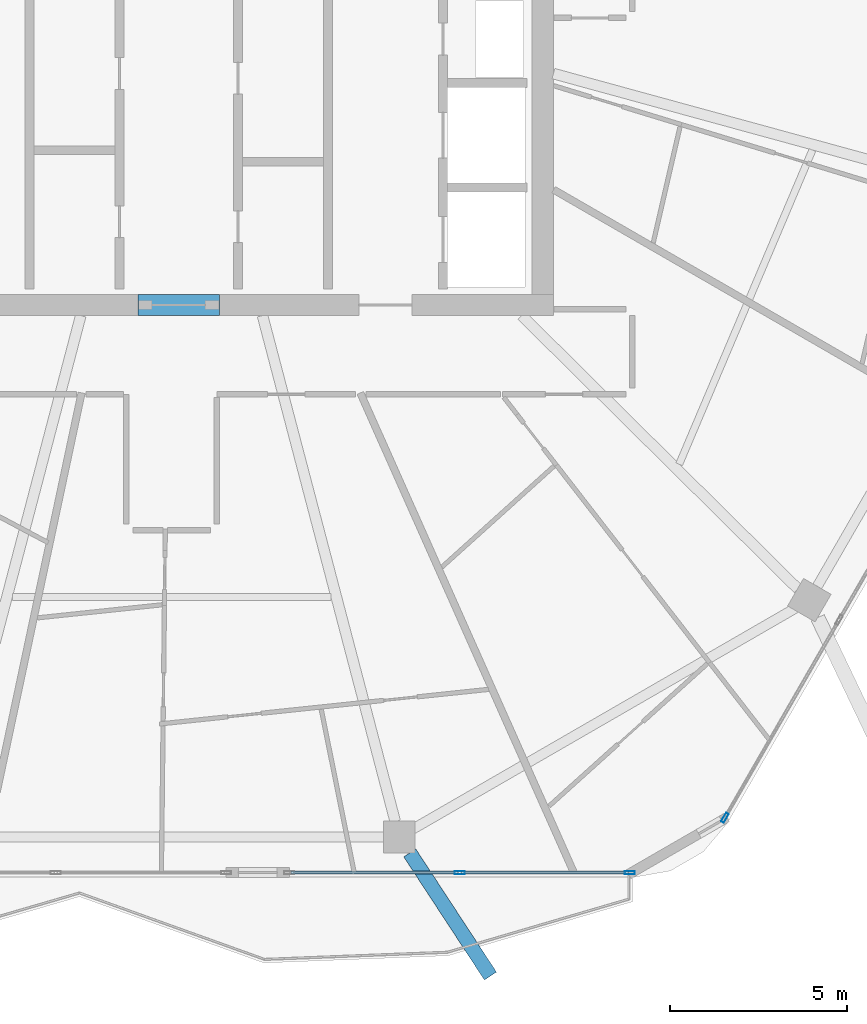
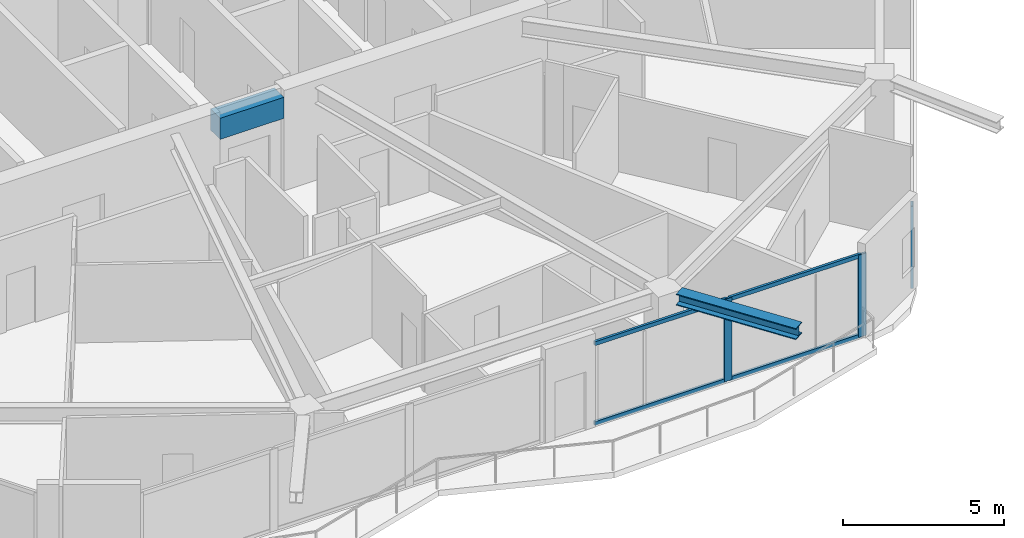
# One storey, part 7 of 26: 7 members, 2 beams, 2 elements without a shape of their own.
"""IFC4 building model written with IfcOpenShell, lengths in metres."""

from ifc_helpers import new_model, si_unit, direction, frame, origin, origin_2d, place, context, subcontext, project, spatial, rectangle, hollow_rectangle, i_section, extrude, material, material_profile, profile_set, type_object, element, aggregate, save


model = new_model("IFC4")

# Units and contexts
model_context = context("Model", 3, precision=1e-05, world=origin(), true_north=direction((0.0, 1.0)))
body_context = subcontext(model_context, "Body", "Model", "MODEL_VIEW")
ifc_project = project(units=[si_unit("LENGTHUNIT", "METRE"), si_unit("AREAUNIT", "SQUARE_METRE"), si_unit("VOLUMEUNIT", "CUBIC_METRE"), si_unit("PLANEANGLEUNIT", "RADIAN"), si_unit("MASSUNIT", "GRAM", prefix="KILO")], contexts=[model_context])

# Site, building, storey
site_placement = place(None, origin())
site = spatial("IfcSite", under=ifc_project, at=site_placement, CompositionType="ELEMENT")
building_placement = place(site_placement, origin())
building = spatial("IfcBuilding", under=site, at=building_placement, Name="Zuhravey Tower", CompositionType="ELEMENT")
storey_placement = place(building_placement, frame((0.0, 0.0, 242.60009765625)))
storey = spatial("IfcBuildingStorey", under=building, at=storey_placement, Name="L61", CompositionType="ELEMENT", Elevation=242.60009765625)

# Beam
ifc_material_1 = material(Name="Concrete C50/60", Category="concrete")
ifc_material_profile_1 = material_profile(ifc_material_1, rectangle(XDim=0.60009765625, YDim=0.800048828125, at=origin_2d()), Name="RC-600x800")
ifc_profile_set_1 = profile_set([ifc_material_profile_1], Name="Concrete C50/60")
beam_type_1 = type_object("IfcBeamType", Name="Core Coupling Beam RC600x800", PredefinedType="LINTEL", material=ifc_profile_set_1)
beam_1_placement = place(storey_placement, frame((35.052001953125, 22.5, 3.14990234375), z_axis=(1.0, 0.0, 0.0), x_axis=(0.0, 1.0, 0.0)))
element("IfcBeam", 1, at=beam_1_placement, inside=storey, type_object=beam_type_1, Name="L61 CB2 BM-L61-CB-S", PredefinedType="LINTEL", context=body_context, shape_type="SweptSolid", body=[
    extrude(rectangle(XDim=0.60009765625, YDim=0.800048828125, at=origin_2d()), origin(), (0.0, 0.0, 1.0), 2.2958984375),
])

# Curtain wall, member
ifc_material_2 = material(Name="Thermally broken anodised aluminium", Category="aluminium")
curtain_wall_type = type_object("IfcCurtainWallType", Name="Zone 3-4 High-Rise Curtain Wall CW4", PredefinedType="NOTDEFINED", material=ifc_material_2)
curtain_wall_1_placement = place(storey_placement, origin())
curtain_wall_1 = element("IfcCurtainWall", 2, at=curtain_wall_1_placement, inside=storey, type_object=curtain_wall_type, Name="L61 CW4 CW-L61-F6-1", PredefinedType="NOTDEFINED")
ifc_material_3 = material(Name="Anodised aluminium", Category="aluminium")
ifc_material_profile_2 = material_profile(ifc_material_3, hollow_rectangle(XDim=0.090087890625, YDim=0.284912109375, WallThickness=0.0048828125, at=origin_2d()), Name="ALU-RHS-90x285x5")
ifc_profile_set_2 = profile_set([ifc_material_profile_2], Name="Anodised aluminium")
member_type_1 = type_object("IfcMemberType", Name="Curtain-Wall Mullion 90x180", PredefinedType="MULLION", material=ifc_profile_set_2)
member_1_placement = place(storey_placement, frame((51.65478515625, 7.98779296875, 0.0), z_axis=(0.0, 0.0, 1.0), x_axis=(0.866024851021, -0.500000957414, 0.0)))
member_1 = element("IfcMember", 3, at=member_1_placement, type_object=member_type_1, Name="CW4 mullion 5", PredefinedType="MULLION", context=body_context, shape_type="SweptSolid", body=[
    extrude(hollow_rectangle(XDim=0.090087890625, YDim=0.284912109375, WallThickness=0.0048828125, at=origin_2d()), origin(), (0.0, 0.0, 1.0), 3.121826171875),
])
aggregate(curtain_wall_1, [member_1])

# Curtain wall, members
curtain_wall_2_placement = place(storey_placement, origin())
curtain_wall_2 = element("IfcCurtainWall", 4, at=curtain_wall_2_placement, inside=storey, type_object=curtain_wall_type, Name="L61 CW4 CW-L61-F5-1", PredefinedType="NOTDEFINED")
member_2_placement = place(storey_placement, frame((48.9677734375, 6.436279296875, 0.0), z_axis=(0.0, 0.0, 1.0), x_axis=(0.0, -1.0, 0.0)))
member_2 = element("IfcMember", 5, at=member_2_placement, type_object=member_type_1, Name="CW4 mullion 1", PredefinedType="MULLION", context=body_context, shape_type="SweptSolid", body=[
    extrude(hollow_rectangle(XDim=0.090087890625, YDim=0.284912109375, WallThickness=0.0048828125, at=origin_2d()), origin(), (0.0, 0.0, 1.0), 3.121826171875),
])
member_3_placement = place(storey_placement, frame((44.149169921875, 6.436279296875, 0.0), z_axis=(0.0, 0.0, 1.0), x_axis=(0.0, -1.0, 0.0)))
member_3 = element("IfcMember", 6, at=member_3_placement, type_object=member_type_1, Name="CW4 mullion 2", PredefinedType="MULLION", context=body_context, shape_type="SweptSolid", body=[
    extrude(hollow_rectangle(XDim=0.090087890625, YDim=0.284912109375, WallThickness=0.0048828125, at=origin_2d()), origin(), (0.0, 0.0, 1.0), 3.121826171875),
])
ifc_material_profile_3 = material_profile(ifc_material_3, hollow_rectangle(XDim=0.090087890625, YDim=0.14990234375, WallThickness=0.0048828125, at=origin_2d()), Name="ALU-RHS-90x150x5")
ifc_profile_set_3 = profile_set([ifc_material_profile_3], Name="Anodised aluminium")
member_type_2 = type_object("IfcMemberType", Name="Curtain-Wall Transom 90x150", PredefinedType="USERDEFINED", material=ifc_profile_set_3)
member_4_placement = place(storey_placement, frame((48.922607421875, 6.436279296875, 0.044921875), z_axis=(-1.0, 0.0, 0.0), x_axis=(0.0, -1.0, 0.0)))
member_4 = element("IfcMember", 7, at=member_4_placement, type_object=member_type_2, Name="CW4 transom 1.1", ObjectType="TRANSOM", PredefinedType="USERDEFINED", context=body_context, shape_type="SweptSolid", body=[
    extrude(hollow_rectangle(XDim=0.090087890625, YDim=0.14990234375, WallThickness=0.0048828125, at=origin_2d()), origin(), (0.0, 0.0, 1.0), 4.728271484375),
])
member_5_placement = place(storey_placement, frame((48.922607421875, 6.436279296875, 3.076904296875), z_axis=(-1.0, 0.0, 0.0), x_axis=(0.0, -1.0, 0.0)))
member_5 = element("IfcMember", 8, at=member_5_placement, type_object=member_type_2, Name="CW4 transom 1.2", ObjectType="TRANSOM", PredefinedType="USERDEFINED", context=body_context, shape_type="SweptSolid", body=[
    extrude(hollow_rectangle(XDim=0.090087890625, YDim=0.14990234375, WallThickness=0.0048828125, at=origin_2d()), origin(), (0.0, 0.0, 1.0), 4.728271484375),
])
member_6_placement = place(storey_placement, frame((44.104248046875, 6.436279296875, 0.044921875), z_axis=(-1.0, 0.0, 0.0), x_axis=(0.0, -1.0, 0.0)))
member_6 = element("IfcMember", 9, at=member_6_placement, type_object=member_type_2, Name="CW4 transom 2.1", ObjectType="TRANSOM", PredefinedType="USERDEFINED", context=body_context, shape_type="SweptSolid", body=[
    extrude(hollow_rectangle(XDim=0.090087890625, YDim=0.14990234375, WallThickness=0.0048828125, at=origin_2d()), origin(), (0.0, 0.0, 1.0), 4.728515625),
])
member_7_placement = place(storey_placement, frame((44.104248046875, 6.436279296875, 3.076904296875), z_axis=(-1.0, 0.0, 0.0), x_axis=(0.0, -1.0, 0.0)))
member_7 = element("IfcMember", 10, at=member_7_placement, type_object=member_type_2, Name="CW4 transom 2.2", ObjectType="TRANSOM", PredefinedType="USERDEFINED", context=body_context, shape_type="SweptSolid", body=[
    extrude(hollow_rectangle(XDim=0.090087890625, YDim=0.14990234375, WallThickness=0.0048828125, at=origin_2d()), origin(), (0.0, 0.0, 1.0), 4.728515625),
])
aggregate(curtain_wall_2, [member_2, member_3, member_4, member_5, member_6, member_7])

# Beam
ifc_material_4 = material(Name="Steel SM460", Category="steel")
ifc_material_profile_4 = material_profile(ifc_material_4, i_section(OverallWidth=0.406982421875, OverallDepth=0.427978515625, WebThickness=0.02001953125, FlangeThickness=0.034912109375, at=origin_2d()), Name="H-428x407x20x35")
ifc_profile_set_4 = profile_set([ifc_material_profile_4], Name="Steel SM460")
beam_type_2 = type_object("IfcBeamType", Name="Exoskeleton Node Tie Beam H428x407", PredefinedType="BEAM", material=ifc_profile_set_4)
beam_2_placement = place(storey_placement, frame((42.738037109375, 6.9931640625, 3.3359375), z_axis=(0.548027671424, -0.83646020309, 0.0), x_axis=(0.83646020309, 0.548027671424, 0.0)))
element("IfcBeam", 11, at=beam_2_placement, inside=storey, type_object=beam_type_2, Name="L61 Exoskeleton Node Tie NT1-10", PredefinedType="BEAM", context=body_context, shape_type="SweptSolid", body=[
    extrude(i_section(OverallWidth=0.406982421875, OverallDepth=0.427978515625, WebThickness=0.02001953125, FlangeThickness=0.034912109375, at=origin_2d()), origin(), (0.0, 0.0, 1.0), 4.165283203125),
])

save(model, "model.ifc")
